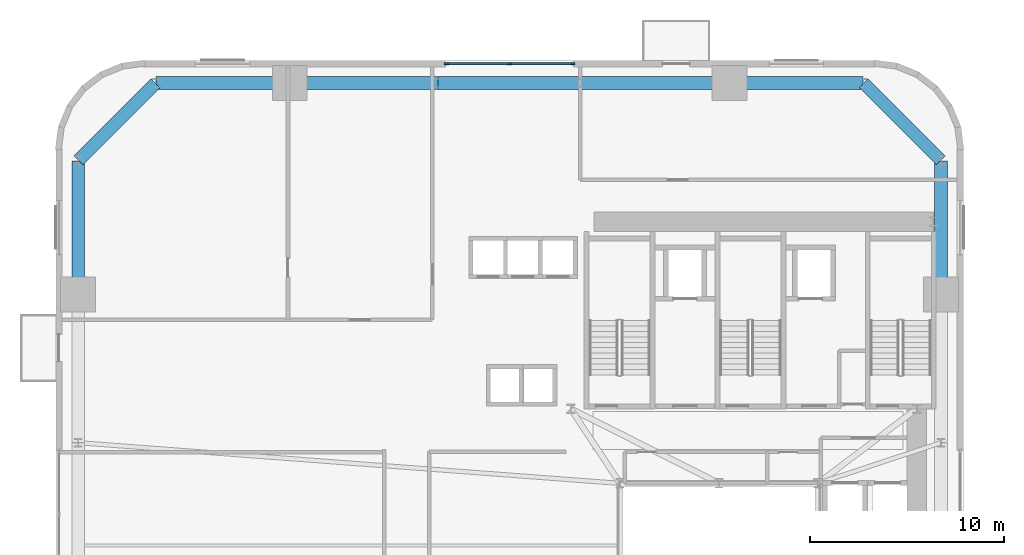
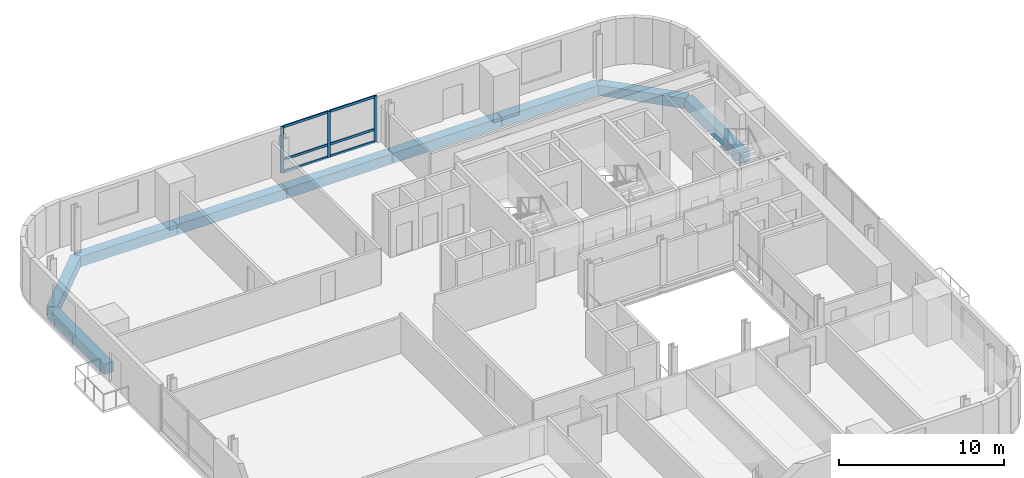
# One storey, part 4 of 13: 9 beams, 9 members, 1 element without a shape of its own.
"""IFC4 building model written with IfcOpenShell, lengths in metres."""

from ifc_helpers import new_model, si_unit, direction, frame, origin, origin_2d, place, context, subcontext, project, spatial, rectangle, extrude, source, transform, mapped, material, material_profile, profile_set, type_object, element, aggregate, save


model = new_model("IFC4")

# Units and contexts
model_context = context("Model", 3, precision=1e-05, world=origin(), true_north=direction((0.0, 1.0)))
body_context = subcontext(model_context, "Body", "Model", "MODEL_VIEW")
ifc_project = project(units=[si_unit("LENGTHUNIT", "METRE"), si_unit("AREAUNIT", "SQUARE_METRE"), si_unit("VOLUMEUNIT", "CUBIC_METRE"), si_unit("PLANEANGLEUNIT", "RADIAN"), si_unit("MASSUNIT", "GRAM", prefix="KILO")], contexts=[model_context])

# Site, building, storey
site_placement = place(None, origin())
site = spatial("IfcSite", under=ifc_project, at=site_placement, CompositionType="ELEMENT")
building_placement = place(site_placement, origin())
building = spatial("IfcBuilding", under=site, at=building_placement, Name="Vardaveli Station Tower", CompositionType="ELEMENT")
storey_placement = place(building_placement, frame((0.0, 0.0, 49.5)))
storey = spatial("IfcBuildingStorey", under=building, at=storey_placement, Name="L12", CompositionType="ELEMENT", Elevation=49.5)

# Beams
ifc_material_1 = material(Name="Precast concrete C45/55", Category="concrete")
ifc_material_profile_1 = material_profile(ifc_material_1, rectangle(XDim=0.64990234375, YDim=0.75, at=origin_2d()), Name="LPB 650x750")
ifc_profile_set_1 = profile_set([ifc_material_profile_1], Name="Precast concrete C45/55")
beam_type = type_object("IfcBeamType", Name="BM-LPB-750", PredefinedType="BEAM", material=ifc_profile_set_1)
shared_shape_1 = source(origin(), body_context, "Body", "SweptSolid", [
    extrude(rectangle(XDim=0.64990234375, YDim=0.75, at=origin_2d()), origin(), (0.0, 0.0, 1.0), 7.60009765625),
])
for number, where, z_axis, x_axis, name in (
    (1, (36.820068359375, 47.449951171875, -0.614990234375), (-1.0, 0.0, 0.0), (0.0, -1.0, 0.0), "RBM-L12-13"),
    (2, (21.780029296875, 47.449951171875, -0.614990234375), (-1.0, 0.0, 0.0), (0.0, -1.0, 0.0), "RBM-L12-15"),
):
    element("IfcBeam", number, at=place(storey_placement, frame(where, z_axis=z_axis, x_axis=x_axis)), inside=storey, type_object=beam_type, Name=name, PredefinedType="BEAM", context=body_context, shape_type="MappedRepresentation", body=[
        mapped(shared_shape_1, transform((0.0, 0.0, 0.0), scale=1.0)),
    ])
shared_shape_2 = source(origin(), body_context, "Body", "SweptSolid", [
    extrude(rectangle(XDim=0.64990234375, YDim=0.75, at=origin_2d()), origin(), (0.0, 0.0, 1.0), 7.35986328125),
])
beam_placement = place(storey_placement, frame((29.179931640625, 47.449951171875, -0.614990234375), z_axis=(-1.0, 0.0, 0.0), x_axis=(0.0, -1.0, 0.0)))
element("IfcBeam", 3, at=beam_placement, inside=storey, type_object=beam_type, Name="RBM-L12-14", PredefinedType="BEAM", context=body_context, shape_type="MappedRepresentation", body=[
    mapped(shared_shape_2, transform((0.0, 0.0, 0.0), scale=1.0)),
])
shared_shape_3 = source(origin(), body_context, "Body", "SweptSolid", [
    extrude(rectangle(XDim=0.64990234375, YDim=0.75, at=origin_2d()), origin(), (0.0, 0.0, 1.0), 6.869873046875),
])
for number, where, z_axis, x_axis, name in (
    (4, (47.75, 36.56005859375, -0.614990234375), (0.0, 1.0, 0.0), (-1.0, 0.0, 0.0), "RBM-L12-10"),
    (5, (43.72998046875, 47.449951171875, -0.614990234375), (-1.0, 0.0, 0.0), (0.0, -1.0, 0.0), "RBM-L12-12"),
    (6, (14.139892578125, 47.449951171875, -0.614990234375), (-1.0, 0.0, 0.0), (0.0, -1.0, 0.0), "RBM-L12-16"),
    (7, (3.25, 43.429931640625, -0.614990234375), (0.0, -1.0, 0.0), (1.0, 0.0, 0.0), "RBM-L12-18"),
):
    element("IfcBeam", number, at=place(storey_placement, frame(where, z_axis=z_axis, x_axis=x_axis)), inside=storey, type_object=beam_type, Name=name, PredefinedType="BEAM", context=body_context, shape_type="MappedRepresentation", body=[
        mapped(shared_shape_3, transform((0.0, 0.0, 0.0), scale=1.0)),
    ])
shared_shape_4 = source(origin(), body_context, "Body", "SweptSolid", [
    extrude(rectangle(XDim=0.64990234375, YDim=0.75, at=origin_2d()), origin(), (0.0, 0.0, 1.0), 5.61669921875),
])
for number, where, z_axis, x_axis, name in (
    (8, (47.73583984375, 43.464111328125, -0.614990234375), (-0.707106781187, 0.707106781187, 0.0), (-0.707106781187, -0.707106781187, 0.0), "RBM-L12-11"),
    (9, (7.23583984375, 47.435791015625, -0.614990234375), (-0.707106781187, -0.707106781187, 0.0), (0.707106781187, -0.707106781187, 0.0), "RBM-L12-17"),
):
    element("IfcBeam", number, at=place(storey_placement, frame(where, z_axis=z_axis, x_axis=x_axis)), inside=storey, type_object=beam_type, Name=name, PredefinedType="BEAM", context=body_context, shape_type="MappedRepresentation", body=[
        mapped(shared_shape_4, transform((0.0, 0.0, 0.0), scale=1.0)),
    ])

# Curtain wall, members
ifc_material_2 = material(Name="Travertine stone and solar-control glass", Category="masonry")
curtain_wall_type = type_object("IfcCurtainWallType", Name="CW-SYS-2", PredefinedType="NOTDEFINED", material=ifc_material_2)
curtain_wall_placement = place(storey_placement, origin())
curtain_wall = element("IfcCurtainWall", 10, at=curtain_wall_placement, inside=storey, type_object=curtain_wall_type, Name="CW-L12-N", PredefinedType="NOTDEFINED")
ifc_material_3 = material(Name="Anodised aluminium alloy 6063-T6", Category="aluminium")
ifc_material_profile_2 = material_profile(ifc_material_3, rectangle(XDim=0.0849609375, YDim=0.219970703125, at=origin_2d()), Name="CWM 85x220")
ifc_profile_set_2 = profile_set([ifc_material_profile_2], Name="Anodised aluminium alloy 6063-T6")
member_type_1 = type_object("IfcMemberType", Name="CW-SYS-2-MULL", PredefinedType="MULLION", material=ifc_profile_set_2)
shared_shape_5 = source(origin(), body_context, "Body", "SweptSolid", [
    extrude(rectangle(XDim=0.0849609375, YDim=0.219970703125, at=origin_2d()), origin(), (0.0, 0.0, 1.0), 3.409912109375),
])
member_1_placement = place(storey_placement, frame((28.757568359375, 48.43994140625, 0.0), z_axis=(0.0, 0.0, 1.0), x_axis=(0.0, -1.0, 0.0)))
member_1 = element("IfcMember", 11, at=member_1_placement, type_object=member_type_1, Name="CW-2 mullion 1", PredefinedType="MULLION", context=body_context, shape_type="MappedRepresentation", body=[
    mapped(shared_shape_5, transform((0.0, 0.0, 0.0), scale=1.0)),
])
member_2_placement = place(storey_placement, frame((25.5, 48.43994140625, 0.0), z_axis=(0.0, 0.0, 1.0), x_axis=(0.0, -1.0, 0.0)))
member_2 = element("IfcMember", 12, at=member_2_placement, type_object=member_type_1, Name="CW-2 mullion 2", PredefinedType="MULLION", context=body_context, shape_type="MappedRepresentation", body=[
    mapped(shared_shape_5, transform((0.0, 0.0, 0.0), scale=1.0)),
])
member_3_placement = place(storey_placement, frame((22.242431640625, 48.43994140625, 0.0), z_axis=(0.0, 0.0, 1.0), x_axis=(0.0, -1.0, 0.0)))
member_3 = element("IfcMember", 13, at=member_3_placement, type_object=member_type_1, Name="CW-2 mullion 3", PredefinedType="MULLION", context=body_context, shape_type="MappedRepresentation", body=[
    mapped(shared_shape_5, transform((0.0, 0.0, 0.0), scale=1.0)),
])
ifc_material_profile_3 = material_profile(ifc_material_3, rectangle(XDim=0.0849609375, YDim=0.179931640625, at=origin_2d()), Name="CWT 85x180")
ifc_profile_set_3 = profile_set([ifc_material_profile_3], Name="Anodised aluminium alloy 6063-T6")
member_type_2 = type_object("IfcMemberType", Name="CW-SYS-2-TRAN", PredefinedType="NOTDEFINED", material=ifc_profile_set_3)
shared_shape_6 = source(origin(), body_context, "Body", "SweptSolid", [
    extrude(rectangle(XDim=0.0849609375, YDim=0.179931640625, at=origin_2d()), origin(), (0.0, 0.0, 1.0), 3.172607421875),
])
member_4_placement = place(storey_placement, frame((28.715087890625, 48.43994140625, 0.04248046875), z_axis=(-1.0, 0.0, 0.0), x_axis=(0.0, -1.0, 0.0)))
member_4 = element("IfcMember", 14, at=member_4_placement, type_object=member_type_2, Name="CW-2 transom 1.1", ObjectType="TRANSOM", PredefinedType="USERDEFINED", context=body_context, shape_type="MappedRepresentation", body=[
    mapped(shared_shape_6, transform((0.0, 0.0, 0.0), scale=1.0)),
])
member_5_placement = place(storey_placement, frame((28.715087890625, 48.43994140625, 0.949951171875), z_axis=(-1.0, 0.0, 0.0), x_axis=(0.0, -1.0, 0.0)))
member_5 = element("IfcMember", 15, at=member_5_placement, type_object=member_type_2, Name="CW-2 transom 1.2", ObjectType="TRANSOM", PredefinedType="USERDEFINED", context=body_context, shape_type="MappedRepresentation", body=[
    mapped(shared_shape_6, transform((0.0, 0.0, 0.0), scale=1.0)),
])
member_6_placement = place(storey_placement, frame((28.715087890625, 48.43994140625, 3.367431640625), z_axis=(-1.0, 0.0, 0.0), x_axis=(0.0, -1.0, 0.0)))
member_6 = element("IfcMember", 16, at=member_6_placement, type_object=member_type_2, Name="CW-2 transom 1.3", ObjectType="TRANSOM", PredefinedType="USERDEFINED", context=body_context, shape_type="MappedRepresentation", body=[
    mapped(shared_shape_6, transform((0.0, 0.0, 0.0), scale=1.0)),
])
member_7_placement = place(storey_placement, frame((25.45751953125, 48.43994140625, 0.04248046875), z_axis=(-1.0, 0.0, 0.0), x_axis=(0.0, -1.0, 0.0)))
member_7 = element("IfcMember", 17, at=member_7_placement, type_object=member_type_2, Name="CW-2 transom 2.1", ObjectType="TRANSOM", PredefinedType="USERDEFINED", context=body_context, shape_type="MappedRepresentation", body=[
    mapped(shared_shape_6, transform((0.0, 0.0, 0.0), scale=1.0)),
])
member_8_placement = place(storey_placement, frame((25.45751953125, 48.43994140625, 0.949951171875), z_axis=(-1.0, 0.0, 0.0), x_axis=(0.0, -1.0, 0.0)))
member_8 = element("IfcMember", 18, at=member_8_placement, type_object=member_type_2, Name="CW-2 transom 2.2", ObjectType="TRANSOM", PredefinedType="USERDEFINED", context=body_context, shape_type="MappedRepresentation", body=[
    mapped(shared_shape_6, transform((0.0, 0.0, 0.0), scale=1.0)),
])
member_9_placement = place(storey_placement, frame((25.45751953125, 48.43994140625, 3.367431640625), z_axis=(-1.0, 0.0, 0.0), x_axis=(0.0, -1.0, 0.0)))
member_9 = element("IfcMember", 19, at=member_9_placement, type_object=member_type_2, Name="CW-2 transom 2.3", ObjectType="TRANSOM", PredefinedType="USERDEFINED", context=body_context, shape_type="MappedRepresentation", body=[
    mapped(shared_shape_6, transform((0.0, 0.0, 0.0), scale=1.0)),
])
aggregate(curtain_wall, [member_1, member_2, member_3, member_4, member_5, member_6, member_7, member_8, member_9])

save(model, "model.ifc")
